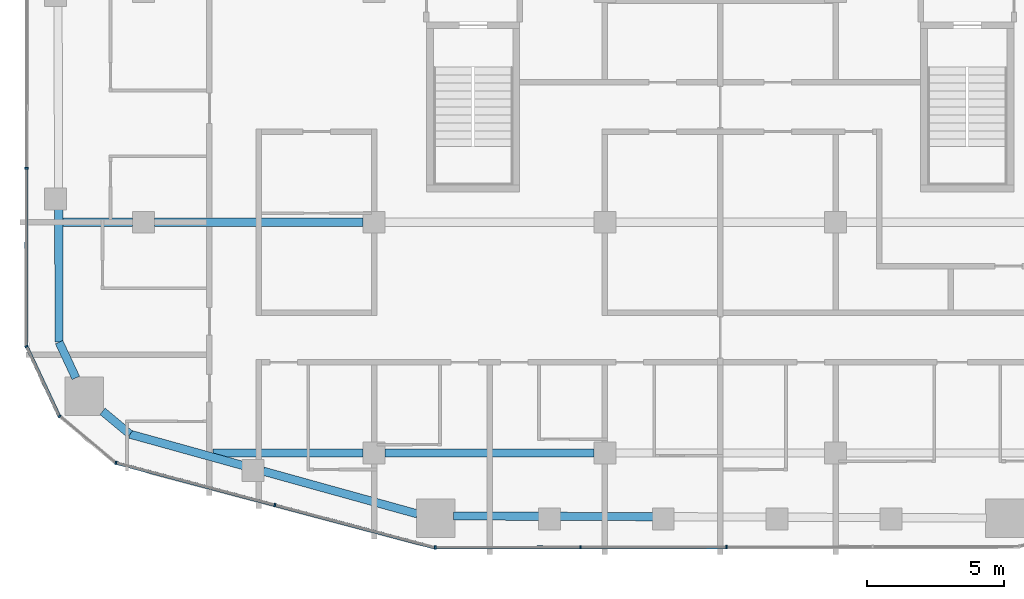
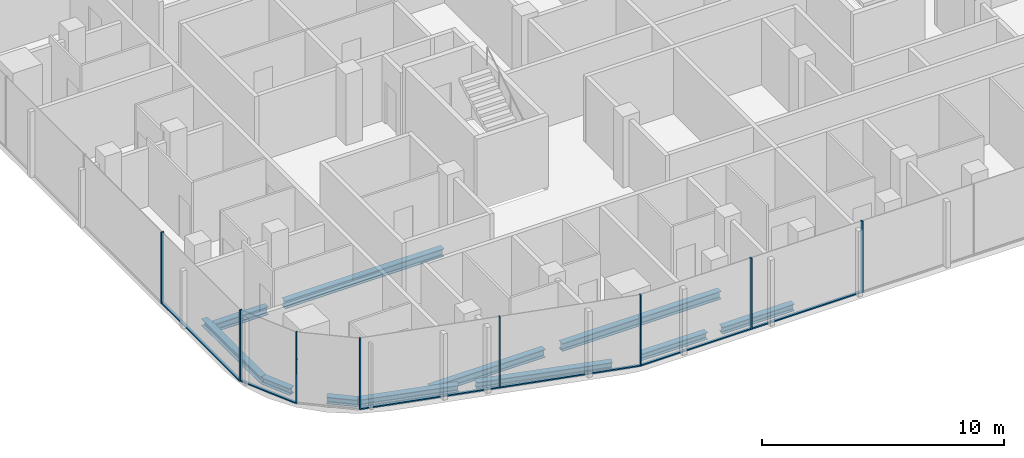
# One storey, part 2 of 22: 14 members, 11 beams, 5 elements without a shape of their own.
"""IFC4 building model written with IfcOpenShell, lengths in metres."""

from ifc_helpers import new_model, si_unit, direction, frame, origin, origin_2d, place, context, subcontext, project, spatial, rectangle, i_section, extrude, material, layer, layer_set, material_profile, profile_set, type_object, element, aggregate, save


model = new_model("IFC4")

# Units and contexts
model_context = context("Model", 3, precision=1e-05, world=origin(), true_north=direction((0.0, 1.0)))
body_context = subcontext(model_context, "Body", "Model", "MODEL_VIEW")
ifc_project = project(units=[si_unit("LENGTHUNIT", "METRE"), si_unit("AREAUNIT", "SQUARE_METRE"), si_unit("VOLUMEUNIT", "CUBIC_METRE"), si_unit("PLANEANGLEUNIT", "RADIAN"), si_unit("MASSUNIT", "GRAM", prefix="KILO")], contexts=[model_context])

# Site, building, storey
site_placement = place(None, origin())
site = spatial("IfcSite", under=ifc_project, at=site_placement, CompositionType="ELEMENT")
building_placement = place(site_placement, origin())
building = spatial("IfcBuilding", under=site, at=building_placement, Name="Marenta Gate Hotel Tower", CompositionType="ELEMENT")
storey_placement = place(building_placement, frame((0.0, 0.0, 209.300048828125)))
storey = spatial("IfcBuildingStorey", under=building, at=storey_placement, Name="L48", CompositionType="ELEMENT", Elevation=209.300048828125)

# Beams
ifc_material_1 = material(Name="Steel S355", Category="steel")
ifc_material_profile_1 = material_profile(ifc_material_1, i_section(OverallWidth=0.300048828125, OverallDepth=0.340087890625, WebThickness=0.011962890625, FlangeThickness=0.021484375, FilletRadius=0.027099609375, at=origin_2d()), Name="HEB 340")
ifc_profile_set_1 = profile_set([ifc_material_profile_1], Name="Steel S355")
beam_type_1 = type_object("IfcBeamType", Name="Edge beam HEB 340", PredefinedType="SPANDREL", material=ifc_profile_set_1)
beam_1_placement = place(storey_placement, frame((-11.02783203125, -27.42236328125, -0.429931640625), z_axis=(-0.963619240724, 0.267278803699, 0.0), x_axis=(-0.267278803699, -0.963619240724, 0.0)))
element("IfcBeam", 1, at=beam_1_placement, inside=storey, type_object=beam_type_1, Name="L48-EB-1", PredefinedType="SPANDREL", context=body_context, shape_type="SweptSolid", body=[
    extrude(i_section(OverallWidth=0.300048828125, OverallDepth=0.340087890625, WebThickness=0.011962890625, FlangeThickness=0.021484375, FilletRadius=0.027099609375, at=origin_2d()), origin(), (0.0, 0.0, 1.0), 5.82958984375),
])
beam_2_placement = place(storey_placement, frame((-17.3681640625, -25.663818359375, -0.429931640625), z_axis=(-0.963628037304, 0.267247087396, 0.0), x_axis=(-0.267247087396, -0.963628037304, 0.0)))
element("IfcBeam", 2, at=beam_2_placement, inside=storey, type_object=beam_type_1, Name="L48-EB-2", PredefinedType="SPANDREL", context=body_context, shape_type="SweptSolid", body=[
    extrude(i_section(OverallWidth=0.300048828125, OverallDepth=0.340087890625, WebThickness=0.011962890625, FlangeThickness=0.021484375, FilletRadius=0.027099609375, at=origin_2d()), origin(), (0.0, 0.0, 1.0), 4.284423828125),
])
beam_3_placement = place(storey_placement, frame((-21.496826171875, -24.518798828125, -0.429931640625), z_axis=(-0.767065103149, 0.641569269472, 0.0), x_axis=(-0.641569269472, -0.767065103149, 0.0)))
element("IfcBeam", 3, at=beam_3_placement, inside=storey, type_object=beam_type_1, Name="L48-EB-3", PredefinedType="SPANDREL", context=body_context, shape_type="SweptSolid", body=[
    extrude(i_section(OverallWidth=0.300048828125, OverallDepth=0.340087890625, WebThickness=0.011962890625, FlangeThickness=0.021484375, FilletRadius=0.027099609375, at=origin_2d()), origin(), (0.0, 0.0, 1.0), 1.299560546875),
])
beam_4_placement = place(storey_placement, frame((-23.466796875, -22.46923828125, -0.429931640625), z_axis=(-0.423341112024, 0.905970365338, 0.0), x_axis=(-0.905970365338, -0.423341112024, 0.0)))
element("IfcBeam", 4, at=beam_4_placement, inside=storey, type_object=beam_type_1, Name="L48-EB-4", PredefinedType="SPANDREL", context=body_context, shape_type="SweptSolid", body=[
    extrude(i_section(OverallWidth=0.300048828125, OverallDepth=0.340087890625, WebThickness=0.011962890625, FlangeThickness=0.021484375, FilletRadius=0.027099609375, at=origin_2d()), origin(), (0.0, 0.0, 1.0), 1.437255859375),
])
beam_5_placement = place(storey_placement, frame((-24.0751953125, -21.167236328125, -0.429931640625), z_axis=(-0.003318732666, 0.999994492992, 0.0), x_axis=(-0.999994492992, -0.003318732666, 0.0)))
element("IfcBeam", 5, at=beam_5_placement, inside=storey, type_object=beam_type_1, Name="L48-EB-5", PredefinedType="SPANDREL", context=body_context, shape_type="SweptSolid", body=[
    extrude(i_section(OverallWidth=0.300048828125, OverallDepth=0.340087890625, WebThickness=0.011962890625, FlangeThickness=0.021484375, FilletRadius=0.027099609375, at=origin_2d()), origin(), (0.0, 0.0, 1.0), 4.855224609375),
])
beam_6_placement = place(storey_placement, frame((-2.433349609375, -27.5234375, -0.429931640625), z_axis=(-0.999992599416, 0.003847221457, 0.0), x_axis=(-0.003847221457, -0.999992599416, 0.0)))
element("IfcBeam", 6, at=beam_6_placement, inside=storey, type_object=beam_type_1, Name="L48-EB-35", PredefinedType="SPANDREL", context=body_context, shape_type="SweptSolid", body=[
    extrude(i_section(OverallWidth=0.300048828125, OverallDepth=0.340087890625, WebThickness=0.011962890625, FlangeThickness=0.021484375, FilletRadius=0.027099609375, at=origin_2d()), origin(), (0.0, 0.0, 1.0), 3.4267578125),
])
beam_7_placement = place(storey_placement, frame((-6.580078125, -27.507568359375, -0.429931640625), z_axis=(-0.99999237665, 0.00390469495, 0.0), x_axis=(-0.00390469495, -0.99999237665, 0.0)))
element("IfcBeam", 7, at=beam_7_placement, inside=storey, type_object=beam_type_1, Name="L48-EB-36", PredefinedType="SPANDREL", context=body_context, shape_type="SweptSolid", body=[
    extrude(i_section(OverallWidth=0.300048828125, OverallDepth=0.340087890625, WebThickness=0.011962890625, FlangeThickness=0.021484375, FilletRadius=0.027099609375, at=origin_2d()), origin(), (0.0, 0.0, 1.0), 3.126220703125),
])
ifc_material_2 = material(Name="Steel S355", Category="steel")
ifc_material_profile_2 = material_profile(ifc_material_2, i_section(OverallWidth=0.300048828125, OverallDepth=0.39990234375, WebThickness=0.013427734375, FlangeThickness=0.02392578125, FilletRadius=0.027099609375, at=origin_2d()), Name="HEB 400")
ifc_profile_set_2 = profile_set([ifc_material_profile_2], Name="Steel S355")
beam_type_2 = type_object("IfcBeamType", Name="Girder HEB 400", PredefinedType="BEAM", material=ifc_profile_set_2)
beam_8_placement = place(storey_placement, frame((-18.479248046875, -25.199951171875, -0.4599609375), z_axis=(1.0, 0.0, 0.0), x_axis=(0.0, 1.0, 0.0)))
element("IfcBeam", 8, at=beam_8_placement, inside=storey, type_object=beam_type_2, Name="L48-GD-1", PredefinedType="BEAM", context=body_context, shape_type="SweptSolid", body=[
    extrude(i_section(OverallWidth=0.300048828125, OverallDepth=0.39990234375, WebThickness=0.013427734375, FlangeThickness=0.02392578125, FilletRadius=0.027099609375, at=origin_2d()), origin(), (0.0, 0.0, 1.0), 5.479248046875),
])
beam_9_placement = place(storey_placement, frame((-12.199951171875, -25.199951171875, -0.4599609375), z_axis=(1.0, 0.0, 0.0), x_axis=(0.0, 1.0, 0.0)))
element("IfcBeam", 9, at=beam_9_placement, inside=storey, type_object=beam_type_2, Name="L48-GD-2", PredefinedType="BEAM", context=body_context, shape_type="SweptSolid", body=[
    extrude(i_section(OverallWidth=0.300048828125, OverallDepth=0.39990234375, WebThickness=0.013427734375, FlangeThickness=0.02392578125, FilletRadius=0.027099609375, at=origin_2d()), origin(), (0.0, 0.0, 1.0), 7.599853515625),
])
beam_10_placement = place(storey_placement, frame((-23.939697265625, -16.800048828125, -0.4599609375), z_axis=(1.0, 0.0, 0.0), x_axis=(0.0, 1.0, 0.0)))
element("IfcBeam", 10, at=beam_10_placement, inside=storey, type_object=beam_type_2, Name="L48-GD-6", PredefinedType="BEAM", context=body_context, shape_type="SweptSolid", body=[
    extrude(i_section(OverallWidth=0.300048828125, OverallDepth=0.39990234375, WebThickness=0.013427734375, FlangeThickness=0.02392578125, FilletRadius=0.027099609375, at=origin_2d()), origin(), (0.0, 0.0, 1.0), 2.539794921875),
])
beam_11_placement = place(storey_placement, frame((-20.60009765625, -16.800048828125, -0.4599609375), z_axis=(1.0, 0.0, 0.0), x_axis=(0.0, 1.0, 0.0)))
element("IfcBeam", 11, at=beam_11_placement, inside=storey, type_object=beam_type_2, Name="L48-GD-7", PredefinedType="BEAM", context=body_context, shape_type="SweptSolid", body=[
    extrude(i_section(OverallWidth=0.300048828125, OverallDepth=0.39990234375, WebThickness=0.013427734375, FlangeThickness=0.02392578125, FilletRadius=0.027099609375, at=origin_2d()), origin(), (0.0, 0.0, 1.0), 7.60009765625),
])

# Curtain wall, member
ifc_material_3 = material(Name="Tinted insulated glass in bronze anodised frame", Category="glass")
ifc_layer = layer(ifc_material_3, 0.1201171875)
ifc_layer_set = layer_set([ifc_layer], Name="Tinted insulated glass in bronze anodised frame")
curtain_wall_type = type_object("IfcCurtainWallType", Name="Tower unitised curtain wall CW1", PredefinedType="NOTDEFINED", material=ifc_layer_set)
curtain_wall_1_placement = place(storey_placement, origin())
curtain_wall_1 = element("IfcCurtainWall", 12, at=curtain_wall_1_placement, inside=storey, type_object=curtain_wall_type, Name="CW1 run G03", PredefinedType="NOTDEFINED")
ifc_material_4 = material(Name="Bronze anodised aluminium", Category="aluminium")
ifc_material_profile_3 = material_profile(ifc_material_4, rectangle(XDim=0.1201171875, YDim=0.06005859375, at=origin_2d()), Name="Mullion CW1 60x120 bronze anodised aluminium")
ifc_profile_set_3 = profile_set([ifc_material_profile_3], Name="Bronze anodised aluminium")
member_type_1 = type_object("IfcMemberType", Name="Mullion CW1 60x120 bronze anodised aluminium", PredefinedType="MULLION", material=ifc_profile_set_3)
member_1_placement = place(storey_placement, frame((-25.262939453125, -14.833740234375, 0.0), z_axis=(0.0, 0.0, 1.0), x_axis=(0.99999877375, -0.001566045546, 0.0)))
member_1 = element("IfcMember", 13, at=member_1_placement, type_object=member_type_1, Name="CW1 mullion 6", PredefinedType="MULLION", context=body_context, shape_type="SweptSolid", body=[
    extrude(rectangle(XDim=0.1201171875, YDim=0.06005859375, at=origin_2d()), origin(), (0.0, 0.0, 1.0), 3.599853515625),
])

curtain_wall_2_placement = place(storey_placement, origin())
curtain_wall_2 = element("IfcCurtainWall", 14, at=curtain_wall_2_placement, inside=storey, type_object=curtain_wall_type, Name="CW1 run G04", PredefinedType="NOTDEFINED")
member_2_placement = place(storey_placement, frame((-25.26025390625, -21.321044921875, 0.0), z_axis=(0.0, 0.0, 1.0), x_axis=(0.905972194447, 0.42333719762, 0.0)))
member_2 = element("IfcMember", 15, at=member_2_placement, type_object=member_type_1, Name="CW1 mullion 1", PredefinedType="MULLION", context=body_context, shape_type="SweptSolid", body=[
    extrude(rectangle(XDim=0.1201171875, YDim=0.06005859375, at=origin_2d()), origin(), (0.0, 0.0, 1.0), 3.599853515625),
])

curtain_wall_3_placement = place(storey_placement, origin())
curtain_wall_3 = element("IfcCurtainWall", 16, at=curtain_wall_3_placement, inside=storey, type_object=curtain_wall_type, Name="CW1 run G05", PredefinedType="NOTDEFINED")
member_3_placement = place(storey_placement, frame((-24.059814453125, -23.85986328125, 0.0), z_axis=(0.0, 0.0, 1.0), x_axis=(0.641524739495, 0.767102345594, 0.0)))
member_3 = element("IfcMember", 17, at=member_3_placement, type_object=member_type_1, Name="CW1 mullion 1", PredefinedType="MULLION", context=body_context, shape_type="SweptSolid", body=[
    extrude(rectangle(XDim=0.1201171875, YDim=0.06005859375, at=origin_2d()), origin(), (0.0, 0.0, 1.0), 3.599853515625),
])
aggregate(curtain_wall_3, [member_3])

# Curtain wall, members
curtain_wall_4_placement = place(storey_placement, origin())
curtain_wall_4 = element("IfcCurtainWall", 18, at=curtain_wall_4_placement, inside=storey, type_object=curtain_wall_type, Name="CW1 run G06", PredefinedType="NOTDEFINED")
member_4_placement = place(storey_placement, frame((-22.00634765625, -25.560791015625, 0.0), z_axis=(0.0, 0.0, 1.0), x_axis=(0.257139197271, 0.966374375295, 0.0)))
member_4 = element("IfcMember", 19, at=member_4_placement, type_object=member_type_1, Name="CW1 mullion 1", PredefinedType="MULLION", context=body_context, shape_type="SweptSolid", body=[
    extrude(rectangle(XDim=0.1201171875, YDim=0.06005859375, at=origin_2d()), origin(), (0.0, 0.0, 1.0), 3.599853515625),
])
member_5_placement = place(storey_placement, frame((-16.220703125, -27.100341796875, 0.0), z_axis=(0.0, 0.0, 1.0), x_axis=(0.257139197271, 0.966374375295, 0.0)))
member_5 = element("IfcMember", 20, at=member_5_placement, type_object=member_type_1, Name="CW1 mullion 2", PredefinedType="MULLION", context=body_context, shape_type="SweptSolid", body=[
    extrude(rectangle(XDim=0.1201171875, YDim=0.06005859375, at=origin_2d()), origin(), (0.0, 0.0, 1.0), 3.599853515625),
])

curtain_wall_5_placement = place(storey_placement, origin())
curtain_wall_5 = element("IfcCurtainWall", 21, at=curtain_wall_5_placement, inside=storey, type_object=curtain_wall_type, Name="CW1 run G07", PredefinedType="NOTDEFINED")
member_6_placement = place(storey_placement, frame((-10.3759765625, -28.6474609375, 0.0), z_axis=(0.0, 0.0, 1.0), x_axis=(-0.001644757804, 0.999998647385, 0.0)))
member_6 = element("IfcMember", 22, at=member_6_placement, type_object=member_type_1, Name="CW1 mullion 1", PredefinedType="MULLION", context=body_context, shape_type="SweptSolid", body=[
    extrude(rectangle(XDim=0.1201171875, YDim=0.06005859375, at=origin_2d()), origin(), (0.0, 0.0, 1.0), 3.599853515625),
])
member_7_placement = place(storey_placement, frame((-5.086181640625, -28.638671875, 0.0), z_axis=(0.0, 0.0, 1.0), x_axis=(-0.001644757804, 0.999998647385, 0.0)))
member_7 = element("IfcMember", 23, at=member_7_placement, type_object=member_type_1, Name="CW1 mullion 2", PredefinedType="MULLION", context=body_context, shape_type="SweptSolid", body=[
    extrude(rectangle(XDim=0.1201171875, YDim=0.06005859375, at=origin_2d()), origin(), (0.0, 0.0, 1.0), 3.599853515625),
])
member_8_placement = place(storey_placement, frame((0.23388671875, -28.6298828125, 0.0), z_axis=(0.0, 0.0, 1.0), x_axis=(-0.001644757804, 0.999998647385, 0.0)))
member_8 = element("IfcMember", 24, at=member_8_placement, type_object=member_type_1, Name="CW1 mullion 3", PredefinedType="MULLION", context=body_context, shape_type="SweptSolid", body=[
    extrude(rectangle(XDim=0.1201171875, YDim=0.06005859375, at=origin_2d()), origin(), (0.0, 0.0, 1.0), 3.599853515625),
])

# Member
ifc_material_5 = material(Name="Bronze anodised aluminium", Category="aluminium")
ifc_material_profile_4 = material_profile(ifc_material_5, rectangle(XDim=0.1201171875, YDim=0.06005859375, at=origin_2d()), Name="Transom CW1 60x120 bronze anodised aluminium")
ifc_profile_set_4 = profile_set([ifc_material_profile_4], Name="Bronze anodised aluminium")
member_type_2 = type_object("IfcMemberType", Name="Transom CW1 60x120 bronze anodised aluminium", PredefinedType="USERDEFINED", material=ifc_profile_set_4)
member_9_placement = place(storey_placement, frame((-25.262939453125, -14.86376953125, 0.030029296875), z_axis=(-0.001556743377, -0.999998788274, 0.0), x_axis=(0.999998788274, -0.001556743377, 0.0)))
member_9 = element("IfcMember", 25, at=member_9_placement, type_object=member_type_2, Name="CW1 transom 6.1", ObjectType="TRANSOM", PredefinedType="USERDEFINED", context=body_context, shape_type="SweptSolid", body=[
    extrude(rectangle(XDim=0.1201171875, YDim=0.06005859375, at=origin_2d()), origin(), (0.0, 0.0, 1.0), 6.429931640625),
])

aggregate(curtain_wall_1, [member_1, member_9])

member_10_placement = place(storey_placement, frame((-25.24755859375, -21.34814453125, 0.030029296875), z_axis=(0.423274054321, -0.906001696984, 0.0), x_axis=(0.906001696984, 0.423274054321, 0.0)))
member_10 = element("IfcMember", 26, at=member_10_placement, type_object=member_type_2, Name="CW1 transom 1.1", ObjectType="TRANSOM", PredefinedType="USERDEFINED", context=body_context, shape_type="SweptSolid", body=[
    extrude(rectangle(XDim=0.1201171875, YDim=0.06005859375, at=origin_2d()), origin(), (0.0, 0.0, 1.0), 2.751220703125),
])

aggregate(curtain_wall_2, [member_2, member_10])

member_11_placement = place(storey_placement, frame((-21.977294921875, -25.568603515625, 0.030029296875), z_axis=(0.966378365457, -0.257124201073, 0.0), x_axis=(0.257124201073, 0.966378365457, 0.0)))
member_11 = element("IfcMember", 27, at=member_11_placement, type_object=member_type_2, Name="CW1 transom 1.1", ObjectType="TRANSOM", PredefinedType="USERDEFINED", context=body_context, shape_type="SweptSolid", body=[
    extrude(rectangle(XDim=0.1201171875, YDim=0.06005859375, at=origin_2d()), origin(), (0.0, 0.0, 1.0), 5.9267578125),
])

member_12_placement = place(storey_placement, frame((-16.191650390625, -27.10791015625, 0.030029296875), z_axis=(0.966371521912, -0.257149920549, 0.0), x_axis=(0.257149920549, 0.966371521912, 0.0)))
member_12 = element("IfcMember", 28, at=member_12_placement, type_object=member_type_2, Name="CW1 transom 2.1", ObjectType="TRANSOM", PredefinedType="USERDEFINED", context=body_context, shape_type="SweptSolid", body=[
    extrude(rectangle(XDim=0.1201171875, YDim=0.06005859375, at=origin_2d()), origin(), (0.0, 0.0, 1.0), 5.987060546875),
])

aggregate(curtain_wall_4, [member_4, member_5, member_11, member_12])

member_13_placement = place(storey_placement, frame((-10.345947265625, -28.6474609375, 0.030029296875), z_axis=(0.999998665295, 0.001633832195, 0.0), x_axis=(-0.001633832195, 0.999998665295, 0.0)))
member_13 = element("IfcMember", 29, at=member_13_placement, type_object=member_type_2, Name="CW1 transom 1.1", ObjectType="TRANSOM", PredefinedType="USERDEFINED", context=body_context, shape_type="SweptSolid", body=[
    extrude(rectangle(XDim=0.1201171875, YDim=0.06005859375, at=origin_2d()), origin(), (0.0, 0.0, 1.0), 5.22998046875),
])

member_14_placement = place(storey_placement, frame((-5.05615234375, -28.638671875, 0.030029296875), z_axis=(0.999998680491, 0.001624504703, 0.0), x_axis=(-0.001624504703, 0.999998680491, 0.0)))
member_14 = element("IfcMember", 30, at=member_14_placement, type_object=member_type_2, Name="CW1 transom 2.1", ObjectType="TRANSOM", PredefinedType="USERDEFINED", context=body_context, shape_type="SweptSolid", body=[
    extrude(rectangle(XDim=0.1201171875, YDim=0.06005859375, at=origin_2d()), origin(), (0.0, 0.0, 1.0), 5.260009765625),
])

aggregate(curtain_wall_5, [member_6, member_7, member_8, member_13, member_14])

save(model, "model.ifc")
